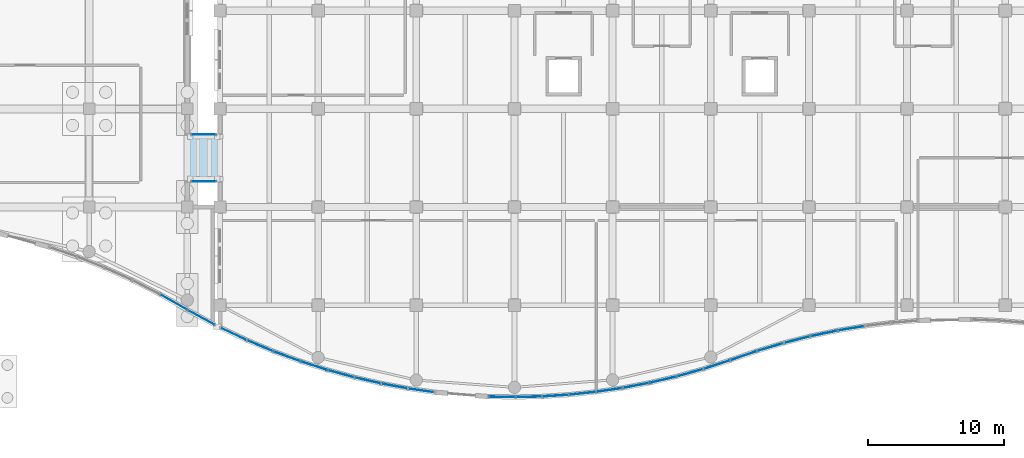
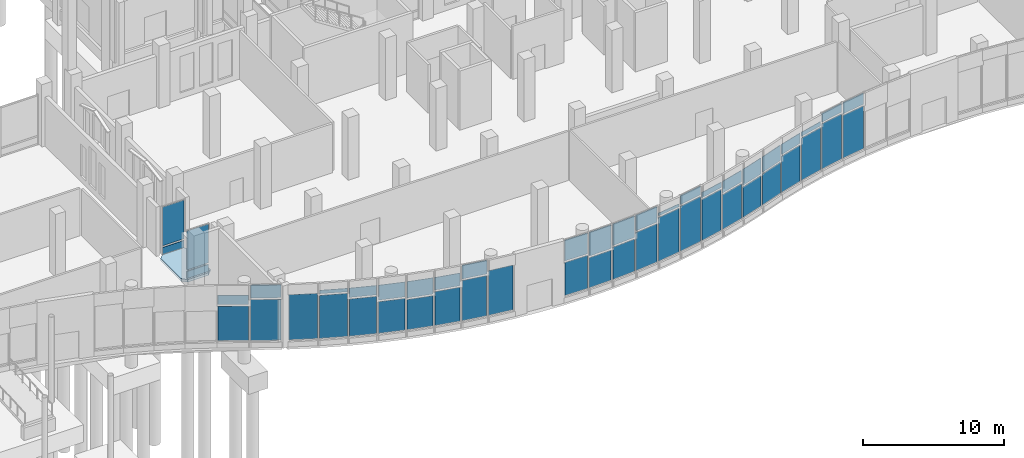
# One storey, part 126 of 192: 50 plates, 1 slab, 26 elements without a shape of their own.
"""IFC4 building model written with IfcOpenShell, lengths in metres."""

from ifc_helpers import new_model, si_unit, direction, frame, origin, origin_2d, place, context, subcontext, project, spatial, polyline, rectangle, outline, extrude, material, layer, layer_set, type_object, element, aggregate, save


model = new_model("IFC4")

# Units and contexts
model_context = context("Model", 3, precision=1e-05, world=origin(), true_north=direction((0.0, 1.0)))
body_context = subcontext(model_context, "Body", "Model", "MODEL_VIEW")
ifc_project = project(units=[si_unit("LENGTHUNIT", "METRE"), si_unit("AREAUNIT", "SQUARE_METRE"), si_unit("VOLUMEUNIT", "CUBIC_METRE"), si_unit("PLANEANGLEUNIT", "RADIAN"), si_unit("MASSUNIT", "GRAM", prefix="KILO")], contexts=[model_context])

# Site, building, storey
site_placement = place(None, origin())
site = spatial("IfcSite", under=ifc_project, at=site_placement, CompositionType="ELEMENT")
building_placement = place(site_placement, origin())
building = spatial("IfcBuilding", under=site, at=building_placement, Name="Cendralis Lancet Convention Centre", CompositionType="ELEMENT")
storey_placement = place(building_placement, origin())
storey = spatial("IfcBuildingStorey", under=building, at=storey_placement, Name="L00", CompositionType="ELEMENT", Elevation=0.0)

# Curtain wall, plate
ifc_material_1 = material(Name="Anodised bronze architectural aluminium", Category="aluminium")
curtain_wall_type_1 = type_object("IfcCurtainWallType", Name="ARC-CW-WF01", PredefinedType="USERDEFINED", material=ifc_material_1)
curtain_wall_1_placement = place(storey_placement, origin())
curtain_wall_1 = element("IfcCurtainWall", 1, at=curtain_wall_1_placement, inside=storey, type_object=curtain_wall_type_1, Name="L00 Curtain Wall CW-WF1 #054", ObjectType="CURTAIN WALL", PredefinedType="USERDEFINED")
ifc_material_2 = material(Name="Double-glazed low-E solar-control glass", Category="glass")
ifc_layer_1 = layer(ifc_material_2, 0.035888671875, Name="Double-glazed low-E solar-control glass")
ifc_layer_set_1 = layer_set([ifc_layer_1], Name="Double-glazed low-E solar-control glass")
plate_type_1 = type_object("IfcPlateType", Name="ARC-PL-GL01", PredefinedType="CURTAIN_PANEL", material=ifc_layer_set_1)
plate_1_placement = place(storey_placement, frame((128.6025390625, 7.41943359375, 0.52001953125), z_axis=(0.0, 0.0, 1.0), x_axis=(0.869376917857, -0.494149546895, 0.0)))
plate_1 = element("IfcPlate", 2, at=plate_1_placement, type_object=plate_type_1, Name="Vision Glass Panel CW2-CW-WF1-L00-054-PG0", PredefinedType="CURTAIN_PANEL", context=body_context, shape_type="SweptSolid", body=[
    extrude(rectangle(XDim=2.189208984375, YDim=0.035888671875, at=origin_2d()), origin(), (0.0, 0.0, 1.0), 2.985107421875),
])

curtain_wall_2_placement = place(storey_placement, origin())
curtain_wall_2 = element("IfcCurtainWall", 3, at=curtain_wall_2_placement, inside=storey, type_object=curtain_wall_type_1, Name="L00 Curtain Wall CW-WF1 #055", ObjectType="CURTAIN WALL", PredefinedType="USERDEFINED")
plate_2_placement = place(storey_placement, frame((130.62744140625, 6.29345703125, 0.52001953125), z_axis=(0.0, 0.0, 1.0), x_axis=(0.878541398858, -0.477666212425, 0.0)))
plate_2 = element("IfcPlate", 4, at=plate_2_placement, type_object=plate_type_1, Name="Vision Glass Panel CW2-CW-WF1-L00-055-PG0", PredefinedType="CURTAIN_PANEL", context=body_context, shape_type="SweptSolid", body=[
    extrude(rectangle(XDim=2.1650390625, YDim=0.035888671875, at=origin_2d()), origin(), (0.0, 0.0, 1.0), 3.54296875),
])

curtain_wall_type_2 = type_object("IfcCurtainWallType", Name="ARC-CW-WF02", PredefinedType="USERDEFINED", material=ifc_material_1)
curtain_wall_3_placement = place(storey_placement, origin())
curtain_wall_3 = element("IfcCurtainWall", 5, at=curtain_wall_3_placement, inside=storey, type_object=curtain_wall_type_2, Name="L00 Curtain Wall CW-WF2 #056", ObjectType="CURTAIN WALL", PredefinedType="USERDEFINED")
plate_3_placement = place(storey_placement, frame((132.984619140625, 5.093017578125, 0.52001953125), z_axis=(0.0, 0.0, 1.0), x_axis=(0.903504119511, -0.428579404576, 0.0)))
plate_3 = element("IfcPlate", 6, at=plate_3_placement, type_object=plate_type_1, Name="Vision Glass Panel CW2-CW-WF2-L00-056-PG0", PredefinedType="CURTAIN_PANEL", context=body_context, shape_type="SweptSolid", body=[
    extrude(rectangle(XDim=2.039306640625, YDim=0.035888671875, at=origin_2d()), origin(), (0.0, 0.0, 1.0), 3.912109375),
])
aggregate(curtain_wall_3, [plate_3])

curtain_wall_4_placement = place(storey_placement, origin())
curtain_wall_4 = element("IfcCurtainWall", 7, at=curtain_wall_4_placement, inside=storey, type_object=curtain_wall_type_2, Name="L00 Curtain Wall CW-WF2 #057", ObjectType="CURTAIN WALL", PredefinedType="USERDEFINED")
plate_4_placement = place(storey_placement, frame((134.95361328125, 4.2119140625, 0.52001953125), z_axis=(0.0, 0.0, 1.0), x_axis=(0.921811529405, -0.387638367884, 0.0)))
plate_4 = element("IfcPlate", 8, at=plate_4_placement, type_object=plate_type_1, Name="Vision Glass Panel CW2-CW-WF2-L00-057-PG0", PredefinedType="CURTAIN_PANEL", context=body_context, shape_type="SweptSolid", body=[
    extrude(rectangle(XDim=1.99609375, YDim=0.035888671875, at=origin_2d()), origin(), (0.0, 0.0, 1.0), 3.73193359375),
])

curtain_wall_5_placement = place(storey_placement, origin())
curtain_wall_5 = element("IfcCurtainWall", 9, at=curtain_wall_5_placement, inside=storey, type_object=curtain_wall_type_2, Name="L00 Curtain Wall CW-WF2 #058", ObjectType="CURTAIN WALL", PredefinedType="USERDEFINED")
plate_5_placement = place(storey_placement, frame((136.923095703125, 3.4345703125, 0.52001953125), z_axis=(0.0, 0.0, 1.0), x_axis=(0.938155975556, -0.346212890471, 0.0)))
plate_5 = element("IfcPlate", 10, at=plate_5_placement, type_object=plate_type_1, Name="Vision Glass Panel CW2-CW-WF2-L00-058-PG0", PredefinedType="CURTAIN_PANEL", context=body_context, shape_type="SweptSolid", body=[
    extrude(rectangle(XDim=1.9599609375, YDim=0.035888671875, at=origin_2d()), origin(), (0.0, 0.0, 1.0), 3.22412109375),
])

curtain_wall_6_placement = place(storey_placement, origin())
curtain_wall_6 = element("IfcCurtainWall", 11, at=curtain_wall_6_placement, inside=storey, type_object=curtain_wall_type_2, Name="L00 Curtain Wall CW-WF2 #059", ObjectType="CURTAIN WALL", PredefinedType="USERDEFINED")
plate_6_placement = place(storey_placement, frame((138.892578125, 2.7548828125, 0.52001953125), z_axis=(0.0, 0.0, 1.0), x_axis=(0.952154265614, -0.305617824207, 0.0)))
plate_6 = element("IfcPlate", 12, at=plate_6_placement, type_object=plate_type_1, Name="Vision Glass Panel CW2-CW-WF2-L00-059-PG0", PredefinedType="CURTAIN_PANEL", context=body_context, shape_type="SweptSolid", body=[
    extrude(rectangle(XDim=1.927978515625, YDim=0.035888671875, at=origin_2d()), origin(), (0.0, 0.0, 1.0), 2.741943359375),
])

curtain_wall_7_placement = place(storey_placement, origin())
curtain_wall_7 = element("IfcCurtainWall", 13, at=curtain_wall_7_placement, inside=storey, type_object=curtain_wall_type_2, Name="L00 Curtain Wall CW-WF2 #060", ObjectType="CURTAIN WALL", PredefinedType="USERDEFINED")
plate_7_placement = place(storey_placement, frame((140.861572265625, 2.1689453125, 0.52001953125), z_axis=(0.0, 0.0, 1.0), x_axis=(0.964389860515, -0.264484776378, 0.0)))
plate_7 = element("IfcPlate", 14, at=plate_7_placement, type_object=plate_type_1, Name="Vision Glass Panel CW2-CW-WF2-L00-060-PG0", PredefinedType="CURTAIN_PANEL", context=body_context, shape_type="SweptSolid", body=[
    extrude(rectangle(XDim=1.901611328125, YDim=0.035888671875, at=origin_2d()), origin(), (0.0, 0.0, 1.0), 2.618896484375),
])

curtain_wall_8_placement = place(storey_placement, origin())
curtain_wall_8 = element("IfcCurtainWall", 15, at=curtain_wall_8_placement, inside=storey, type_object=curtain_wall_type_2, Name="L00 Curtain Wall CW-WF2 #061", ObjectType="CURTAIN WALL", PredefinedType="USERDEFINED")
plate_8_placement = place(storey_placement, frame((142.83056640625, 1.673583984375, 0.52001953125), z_axis=(0.0, 0.0, 1.0), x_axis=(0.974757014124, -0.22326836636, 0.0)))
plate_8 = element("IfcPlate", 16, at=plate_8_placement, type_object=plate_type_1, Name="Vision Glass Panel CW2-CW-WF2-L00-061-PG0", PredefinedType="CURTAIN_PANEL", context=body_context, shape_type="SweptSolid", body=[
    extrude(rectangle(XDim=1.8798828125, YDim=0.035888671875, at=origin_2d()), origin(), (0.0, 0.0, 1.0), 2.93994140625),
])

curtain_wall_9_placement = place(storey_placement, origin())
curtain_wall_9 = element("IfcCurtainWall", 17, at=curtain_wall_9_placement, inside=storey, type_object=curtain_wall_type_2, Name="L00 Curtain Wall CW-WF2 #062", ObjectType="CURTAIN WALL", PredefinedType="USERDEFINED")
plate_9_placement = place(storey_placement, frame((144.800048828125, 1.264892578125, 0.52001953125), z_axis=(0.0, 0.0, 1.0), x_axis=(0.983175934366, -0.182661112676, 0.0)))
plate_9 = element("IfcPlate", 18, at=plate_9_placement, type_object=plate_type_1, Name="Vision Glass Panel CW2-CW-WF2-L00-062-PG0", PredefinedType="CURTAIN_PANEL", context=body_context, shape_type="SweptSolid", body=[
    extrude(rectangle(XDim=1.86376953125, YDim=0.035888671875, at=origin_2d()), origin(), (0.0, 0.0, 1.0), 3.48388671875),
])

curtain_wall_10_placement = place(storey_placement, origin())
curtain_wall_10 = element("IfcCurtainWall", 19, at=curtain_wall_10_placement, inside=storey, type_object=curtain_wall_type_2, Name="L00 Curtain Wall CW-WF2 #063", ObjectType="CURTAIN WALL", PredefinedType="USERDEFINED")
plate_10_placement = place(storey_placement, frame((146.76953125, 0.94140625, 0.52001953125), z_axis=(0.0, 0.0, 1.0), x_axis=(0.989969594766, -0.141280577004, 0.0)))
plate_10 = element("IfcPlate", 20, at=plate_10_placement, type_object=plate_type_1, Name="Vision Glass Panel CW2-CW-WF2-L00-063-PG0", PredefinedType="CURTAIN_PANEL", context=body_context, shape_type="SweptSolid", body=[
    extrude(rectangle(XDim=1.848876953125, YDim=0.035888671875, at=origin_2d()), origin(), (0.0, 0.0, 1.0), 3.8720703125),
])
aggregate(curtain_wall_10, [plate_10])

curtain_wall_11_placement = place(storey_placement, origin())
curtain_wall_11 = element("IfcCurtainWall", 21, at=curtain_wall_11_placement, inside=storey, type_object=curtain_wall_type_2, Name="L00 Curtain Wall CW-WF2 #064", ObjectType="CURTAIN WALL", PredefinedType="USERDEFINED")
plate_11_placement = place(storey_placement, frame((152.677001953125, 0.468017578125, 0.52001953125), z_axis=(0.0, 0.0, 1.0), x_axis=(0.999833070229, -0.018271061178, 0.0)))
plate_11 = element("IfcPlate", 22, at=plate_11_placement, type_object=plate_type_1, Name="Vision Glass Panel CW2-CW-WF2-L00-064-PG0", PredefinedType="CURTAIN_PANEL", context=body_context, shape_type="SweptSolid", body=[
    extrude(rectangle(XDim=1.830322265625, YDim=0.035888671875, at=origin_2d()), origin(), (0.0, 0.0, 1.0), 2.866943359375),
])

curtain_wall_12_placement = place(storey_placement, origin())
curtain_wall_12 = element("IfcCurtainWall", 23, at=curtain_wall_12_placement, inside=storey, type_object=curtain_wall_type_2, Name="L00 Curtain Wall CW-WF2 #065", ObjectType="CURTAIN WALL", PredefinedType="USERDEFINED")
plate_12_placement = place(storey_placement, frame((154.646484375, 0.472412109375, 0.52001953125), z_axis=(0.0, 0.0, 1.0), x_axis=(0.999738944101, 0.022848274503, 0.0)))
plate_12 = element("IfcPlate", 24, at=plate_12_placement, type_object=plate_type_1, Name="Vision Glass Panel CW2-CW-WF2-L00-065-PG0", PredefinedType="CURTAIN_PANEL", context=body_context, shape_type="SweptSolid", body=[
    extrude(rectangle(XDim=1.82958984375, YDim=0.035888671875, at=origin_2d()), origin(), (0.0, 0.0, 1.0), 2.60693359375),
])

curtain_wall_13_placement = place(storey_placement, origin())
curtain_wall_13 = element("IfcCurtainWall", 25, at=curtain_wall_13_placement, inside=storey, type_object=curtain_wall_type_2, Name="L00 Curtain Wall CW-WF2 #066", ObjectType="CURTAIN WALL", PredefinedType="USERDEFINED")
plate_13_placement = place(storey_placement, frame((156.615478515625, 0.55810546875, 0.52001953125), z_axis=(0.0, 0.0, 1.0), x_axis=(0.997958786907, 0.063861253001, 0.0)))
plate_13 = element("IfcPlate", 26, at=plate_13_placement, type_object=plate_type_1, Name="Vision Glass Panel CW2-CW-WF2-L00-066-PG0", PredefinedType="CURTAIN_PANEL", context=body_context, shape_type="SweptSolid", body=[
    extrude(rectangle(XDim=1.8330078125, YDim=0.035888671875, at=origin_2d()), origin(), (0.0, 0.0, 1.0), 2.801025390625),
])

curtain_wall_14_placement = place(storey_placement, origin())
curtain_wall_14 = element("IfcCurtainWall", 27, at=curtain_wall_14_placement, inside=storey, type_object=curtain_wall_type_2, Name="L00 Curtain Wall CW-WF2 #067", ObjectType="CURTAIN WALL", PredefinedType="USERDEFINED")
plate_14_placement = place(storey_placement, frame((158.58447265625, 0.72509765625, 0.52001953125), z_axis=(0.0, 0.0, 1.0), x_axis=(0.994466640343, 0.10505284977, 0.0)))
plate_14 = element("IfcPlate", 28, at=plate_14_placement, type_object=plate_type_1, Name="Vision Glass Panel CW2-CW-WF2-L00-067-PG0", PredefinedType="CURTAIN_PANEL", context=body_context, shape_type="SweptSolid", body=[
    extrude(rectangle(XDim=1.840087890625, YDim=0.035888671875, at=origin_2d()), origin(), (0.0, 0.0, 1.0), 3.31298828125),
])

curtain_wall_15_placement = place(storey_placement, origin())
curtain_wall_15 = element("IfcCurtainWall", 29, at=curtain_wall_15_placement, inside=storey, type_object=curtain_wall_type_2, Name="L00 Curtain Wall CW-WF2 #068", ObjectType="CURTAIN WALL", PredefinedType="USERDEFINED")
plate_15_placement = place(storey_placement, frame((160.553466796875, 0.97412109375, 0.52001953125), z_axis=(0.0, 0.0, 1.0), x_axis=(0.989327203129, 0.145710964409, 0.0)))
plate_15 = element("IfcPlate", 30, at=plate_15_placement, type_object=plate_type_1, Name="Vision Glass Panel CW2-CW-WF2-L00-068-PG0", PredefinedType="CURTAIN_PANEL", context=body_context, shape_type="SweptSolid", body=[
    extrude(rectangle(XDim=1.85009765625, YDim=0.035888671875, at=origin_2d()), origin(), (0.0, 0.0, 1.0), 3.7880859375),
])

curtain_wall_16_placement = place(storey_placement, origin())
curtain_wall_16 = element("IfcCurtainWall", 31, at=curtain_wall_16_placement, inside=storey, type_object=curtain_wall_type_2, Name="L00 Curtain Wall CW-WF2 #069", ObjectType="CURTAIN WALL", PredefinedType="USERDEFINED")
plate_16_placement = place(storey_placement, frame((162.52294921875, 1.306396484375, 0.52001953125), z_axis=(0.0, 0.0, 1.0), x_axis=(0.982360382939, 0.186997534828, 0.0)))
plate_16 = element("IfcPlate", 32, at=plate_16_placement, type_object=plate_type_1, Name="Vision Glass Panel CW2-CW-WF2-L00-069-PG0", PredefinedType="CURTAIN_PANEL", context=body_context, shape_type="SweptSolid", body=[
    extrude(rectangle(XDim=1.865478515625, YDim=0.035888671875, at=origin_2d()), origin(), (0.0, 0.0, 1.0), 3.89697265625),
])

curtain_wall_17_placement = place(storey_placement, origin())
curtain_wall_17 = element("IfcCurtainWall", 33, at=curtain_wall_17_placement, inside=storey, type_object=curtain_wall_type_2, Name="L00 Curtain Wall CW-WF2 #070", ObjectType="CURTAIN WALL", PredefinedType="USERDEFINED")
plate_17_placement = place(storey_placement, frame((164.492431640625, 1.724609375, 0.52001953125), z_axis=(0.0, 0.0, 1.0), x_axis=(0.973669499151, 0.22796426567, 0.0)))
plate_17 = element("IfcPlate", 34, at=plate_17_placement, type_object=plate_type_1, Name="Vision Glass Panel CW2-CW-WF2-L00-070-PG0", PredefinedType="CURTAIN_PANEL", context=body_context, shape_type="SweptSolid", body=[
    extrude(rectangle(XDim=1.882080078125, YDim=0.035888671875, at=origin_2d()), origin(), (0.0, 0.0, 1.0), 3.56396484375),
])

curtain_wall_18_placement = place(storey_placement, origin())
curtain_wall_18 = element("IfcCurtainWall", 35, at=curtain_wall_18_placement, inside=storey, type_object=curtain_wall_type_2, Name="L00 Curtain Wall CW-WF2 #071", ObjectType="CURTAIN WALL", PredefinedType="USERDEFINED")
plate_18_placement = place(storey_placement, frame((166.46142578125, 2.22998046875, 0.52001953125), z_axis=(0.0, 0.0, 1.0), x_axis=(0.963131479096, 0.269031139414, 0.0)))
plate_18 = element("IfcPlate", 36, at=plate_18_placement, type_object=plate_type_1, Name="Vision Glass Panel CW2-CW-WF2-L00-071-PG0", PredefinedType="CURTAIN_PANEL", context=body_context, shape_type="SweptSolid", body=[
    extrude(rectangle(XDim=1.904296875, YDim=0.035888671875, at=origin_2d()), origin(), (0.0, 0.0, 1.0), 3.02001953125),
])

curtain_wall_19_placement = place(storey_placement, origin())
curtain_wall_19 = element("IfcCurtainWall", 37, at=curtain_wall_19_placement, inside=storey, type_object=curtain_wall_type_2, Name="L00 Curtain Wall CW-WF2 #072", ObjectType="CURTAIN WALL", PredefinedType="USERDEFINED")
plate_19_placement = place(storey_placement, frame((168.430419921875, 2.825927734375, 0.52001953125), z_axis=(0.0, 0.0, 1.0), x_axis=(0.95073912074, 0.30999213586, 0.0)))
plate_19 = element("IfcPlate", 38, at=plate_19_placement, type_object=plate_type_1, Name="Vision Glass Panel CW2-CW-WF2-L00-072-PG0", PredefinedType="CURTAIN_PANEL", context=body_context, shape_type="SweptSolid", body=[
    extrude(rectangle(XDim=1.930908203125, YDim=0.035888671875, at=origin_2d()), origin(), (0.0, 0.0, 1.0), 2.64208984375),
])

curtain_wall_20_placement = place(storey_placement, origin())
curtain_wall_20 = element("IfcCurtainWall", 39, at=curtain_wall_20_placement, inside=storey, type_object=curtain_wall_type_2, Name="L00 Curtain Wall CW-WF2 #073", ObjectType="CURTAIN WALL", PredefinedType="USERDEFINED")
plate_20_placement = place(storey_placement, frame((170.39990234375, 3.486572265625, 0.52001953125), z_axis=(0.0, 0.0, 1.0), x_axis=(0.945418872072, 0.325857570619, 0.0)))
plate_20 = element("IfcPlate", 40, at=plate_20_placement, type_object=plate_type_1, Name="Vision Glass Panel CW2-CW-WF2-L00-073-PG0", PredefinedType="CURTAIN_PANEL", context=body_context, shape_type="SweptSolid", body=[
    extrude(rectangle(XDim=1.943603515625, YDim=0.035888671875, at=origin_2d()), origin(), (0.0, 0.0, 1.0), 2.693115234375),
])

curtain_wall_21_placement = place(storey_placement, origin())
curtain_wall_21 = element("IfcCurtainWall", 41, at=curtain_wall_21_placement, inside=storey, type_object=curtain_wall_type_2, Name="L00 Curtain Wall CW-WF2 #074", ObjectType="CURTAIN WALL", PredefinedType="USERDEFINED")
plate_21_placement = place(storey_placement, frame((172.369384765625, 4.12109375, 0.52001953125), z_axis=(0.0, 0.0, 1.0), x_axis=(0.957919963767, 0.287035438606, 0.0)))
plate_21 = element("IfcPlate", 42, at=plate_21_placement, type_object=plate_type_1, Name="Vision Glass Panel CW2-CW-WF2-L00-074-PG0", PredefinedType="CURTAIN_PANEL", context=body_context, shape_type="SweptSolid", body=[
    extrude(rectangle(XDim=1.91552734375, YDim=0.035888671875, at=origin_2d()), origin(), (0.0, 0.0, 1.0), 3.137939453125),
])

curtain_wall_22_placement = place(storey_placement, origin())
curtain_wall_22 = element("IfcCurtainWall", 43, at=curtain_wall_22_placement, inside=storey, type_object=curtain_wall_type_2, Name="L00 Curtain Wall CW-WF2 #075", ObjectType="CURTAIN WALL", PredefinedType="USERDEFINED")
plate_22_placement = place(storey_placement, frame((174.33837890625, 4.666015625, 0.52001953125), z_axis=(0.0, 0.0, 1.0), x_axis=(0.969238225339, 0.246124485865, 0.0)))
plate_22 = element("IfcPlate", 44, at=plate_22_placement, type_object=plate_type_1, Name="Vision Glass Panel CW2-CW-WF2-L00-075-PG0", PredefinedType="CURTAIN_PANEL", context=body_context, shape_type="SweptSolid", body=[
    extrude(rectangle(XDim=1.8916015625, YDim=0.035888671875, at=origin_2d()), origin(), (0.0, 0.0, 1.0), 3.6669921875),
])

curtain_wall_23_placement = place(storey_placement, origin())
curtain_wall_23 = element("IfcCurtainWall", 45, at=curtain_wall_23_placement, inside=storey, type_object=curtain_wall_type_2, Name="L00 Curtain Wall CW-WF2 #076", ObjectType="CURTAIN WALL", PredefinedType="USERDEFINED")
plate_23_placement = place(storey_placement, frame((176.3076171875, 5.1220703125, 0.52001953125), z_axis=(0.0, 0.0, 1.0), x_axis=(0.978802214248, 0.204807776667, 0.0)))
plate_23 = element("IfcPlate", 46, at=plate_23_placement, type_object=plate_type_1, Name="Vision Glass Panel CW2-CW-WF2-L00-076-PG0", PredefinedType="CURTAIN_PANEL", context=body_context, shape_type="SweptSolid", body=[
    extrude(rectangle(XDim=1.87158203125, YDim=0.035888671875, at=origin_2d()), origin(), (0.0, 0.0, 1.0), 3.9140625),
])

curtain_wall_24_placement = place(storey_placement, origin())
curtain_wall_24 = element("IfcCurtainWall", 47, at=curtain_wall_24_placement, inside=storey, type_object=curtain_wall_type_2, Name="L00 Curtain Wall CW-WF2 #077", ObjectType="CURTAIN WALL", PredefinedType="USERDEFINED")
plate_24_placement = place(storey_placement, frame((178.277099609375, 5.491455078125, 0.52001953125), z_axis=(0.0, 0.0, 1.0), x_axis=(0.986501982864, 0.163749313906, 0.0)))
plate_24 = element("IfcPlate", 48, at=plate_24_placement, type_object=plate_type_1, Name="Vision Glass Panel CW2-CW-WF2-L00-077-PG0", PredefinedType="CURTAIN_PANEL", context=body_context, shape_type="SweptSolid", body=[
    extrude(rectangle(XDim=1.85693359375, YDim=0.035888671875, at=origin_2d()), origin(), (0.0, 0.0, 1.0), 3.70703125),
])

curtain_wall_type_3 = type_object("IfcCurtainWallType", Name="ARC-CW-BR01", PredefinedType="USERDEFINED", material=ifc_material_1)
curtain_wall_25_placement = place(storey_placement, origin())
curtain_wall_25 = element("IfcCurtainWall", 49, at=curtain_wall_25_placement, inside=storey, type_object=curtain_wall_type_3, Name="L00 Curtain Wall CW-BR1 #201", ObjectType="CURTAIN WALL", PredefinedType="USERDEFINED")
plate_25_placement = place(storey_placement, frame((130.800048828125, 16.280029296875, 0.81982421875), z_axis=(0.0, 0.0, 1.0), x_axis=(1.0, 0.0, 0.0)))
plate_25 = element("IfcPlate", 50, at=plate_25_placement, type_object=plate_type_1, Name="Vision Glass Panel CW2-CW-BR1-L00-201-PG0", PredefinedType="CURTAIN_PANEL", context=body_context, shape_type="SweptSolid", body=[
    extrude(rectangle(XDim=1.760009765625, YDim=0.035888671875, at=origin_2d()), origin(), (0.0, 0.0, 1.0), 3.360107421875),
])

curtain_wall_26_placement = place(storey_placement, origin())
curtain_wall_26 = element("IfcCurtainWall", 51, at=curtain_wall_26_placement, inside=storey, type_object=curtain_wall_type_3, Name="L00 Curtain Wall CW-BR1 #202", ObjectType="CURTAIN WALL", PredefinedType="USERDEFINED")
plate_26_placement = place(storey_placement, frame((130.800048828125, 19.719970703125, 0.81982421875), z_axis=(0.0, 0.0, 1.0), x_axis=(1.0, 0.0, 0.0)))
plate_26 = element("IfcPlate", 52, at=plate_26_placement, type_object=plate_type_1, Name="Vision Glass Panel CW2-CW-BR1-L00-202-PG0", PredefinedType="CURTAIN_PANEL", context=body_context, shape_type="SweptSolid", body=[
    extrude(rectangle(XDim=1.760009765625, YDim=0.035888671875, at=origin_2d()), origin(), (0.0, 0.0, 1.0), 3.360107421875),
])

# Plate
ifc_material_3 = material(Name="Insulated ceramic-fritted spandrel glass", Category="glass")
ifc_layer_2 = layer(ifc_material_3, 0.044921875, Name="Insulated ceramic-fritted spandrel glass")
ifc_layer_set_2 = layer_set([ifc_layer_2], Name="Insulated ceramic-fritted spandrel glass")
plate_type_2 = type_object("IfcPlateType", Name="ARC-PL-SP01", PredefinedType="CURTAIN_PANEL", material=ifc_layer_set_2)
plate_27_placement = place(storey_placement, frame((128.6025390625, 7.41943359375, 3.64501953125), z_axis=(0.0, 0.0, 1.0), x_axis=(0.869376917857, -0.494149546895, 0.0)))
plate_27 = element("IfcPlate", 53, at=plate_27_placement, type_object=plate_type_2, Name="Spandrel Panel CW2-CW-WF1-L00-054-PS0", PredefinedType="CURTAIN_PANEL", context=body_context, shape_type="SweptSolid", body=[
    extrude(rectangle(XDim=2.189208984375, YDim=0.044921875, at=origin_2d()), origin(), (0.0, 0.0, 1.0), 0.7900390625),
])

aggregate(curtain_wall_1, [plate_1, plate_27])

plate_28_placement = place(storey_placement, frame((130.62744140625, 6.29345703125, 4.203125), z_axis=(0.0, 0.0, 1.0), x_axis=(0.878541398858, -0.477666212425, 0.0)))
plate_28 = element("IfcPlate", 54, at=plate_28_placement, type_object=plate_type_2, Name="Spandrel Panel CW2-CW-WF1-L00-055-PS0", PredefinedType="CURTAIN_PANEL", context=body_context, shape_type="SweptSolid", body=[
    extrude(rectangle(XDim=2.1650390625, YDim=0.044921875, at=origin_2d()), origin(), (0.0, 0.0, 1.0), 1.126953125),
])

aggregate(curtain_wall_2, [plate_2, plate_28])

plate_29_placement = place(storey_placement, frame((134.95361328125, 4.2119140625, 4.39208984375), z_axis=(0.0, 0.0, 1.0), x_axis=(0.921811529405, -0.387638367884, 0.0)))
plate_29 = element("IfcPlate", 55, at=plate_29_placement, type_object=plate_type_2, Name="Spandrel Panel CW2-CW-WF2-L00-057-PS0", PredefinedType="CURTAIN_PANEL", context=body_context, shape_type="SweptSolid", body=[
    extrude(rectangle(XDim=1.99609375, YDim=0.044921875, at=origin_2d()), origin(), (0.0, 0.0, 1.0), 0.29296875),
])

aggregate(curtain_wall_4, [plate_4, plate_29])

plate_30_placement = place(storey_placement, frame((136.923095703125, 3.4345703125, 3.8837890625), z_axis=(0.0, 0.0, 1.0), x_axis=(0.938155975556, -0.346212890471, 0.0)))
plate_30 = element("IfcPlate", 56, at=plate_30_placement, type_object=plate_type_2, Name="Spandrel Panel CW2-CW-WF2-L00-058-PS0", PredefinedType="CURTAIN_PANEL", context=body_context, shape_type="SweptSolid", body=[
    extrude(rectangle(XDim=1.9599609375, YDim=0.044921875, at=origin_2d()), origin(), (0.0, 0.0, 1.0), 0.801025390625),
])

aggregate(curtain_wall_5, [plate_5, plate_30])

plate_31_placement = place(storey_placement, frame((138.892578125, 2.7548828125, 3.40185546875), z_axis=(0.0, 0.0, 1.0), x_axis=(0.952154265614, -0.305617824207, 0.0)))
plate_31 = element("IfcPlate", 57, at=plate_31_placement, type_object=plate_type_2, Name="Spandrel Panel CW2-CW-WF2-L00-059-PS0", PredefinedType="CURTAIN_PANEL", context=body_context, shape_type="SweptSolid", body=[
    extrude(rectangle(XDim=1.927978515625, YDim=0.044921875, at=origin_2d()), origin(), (0.0, 0.0, 1.0), 1.282958984375),
])

aggregate(curtain_wall_6, [plate_6, plate_31])

plate_32_placement = place(storey_placement, frame((140.861572265625, 2.1689453125, 3.27880859375), z_axis=(0.0, 0.0, 1.0), x_axis=(0.964389860515, -0.264484776378, 0.0)))
plate_32 = element("IfcPlate", 58, at=plate_32_placement, type_object=plate_type_2, Name="Spandrel Panel CW2-CW-WF2-L00-060-PS0", PredefinedType="CURTAIN_PANEL", context=body_context, shape_type="SweptSolid", body=[
    extrude(rectangle(XDim=1.901611328125, YDim=0.044921875, at=origin_2d()), origin(), (0.0, 0.0, 1.0), 1.406005859375),
])

aggregate(curtain_wall_7, [plate_7, plate_32])

plate_33_placement = place(storey_placement, frame((142.83056640625, 1.673583984375, 3.60009765625), z_axis=(0.0, 0.0, 1.0), x_axis=(0.974757014124, -0.22326836636, 0.0)))
plate_33 = element("IfcPlate", 59, at=plate_33_placement, type_object=plate_type_2, Name="Spandrel Panel CW2-CW-WF2-L00-061-PS0", PredefinedType="CURTAIN_PANEL", context=body_context, shape_type="SweptSolid", body=[
    extrude(rectangle(XDim=1.8798828125, YDim=0.044921875, at=origin_2d()), origin(), (0.0, 0.0, 1.0), 1.0849609375),
])

aggregate(curtain_wall_8, [plate_8, plate_33])

plate_34_placement = place(storey_placement, frame((144.800048828125, 1.264892578125, 4.14404296875), z_axis=(0.0, 0.0, 1.0), x_axis=(0.983175934366, -0.182661112676, 0.0)))
plate_34 = element("IfcPlate", 60, at=plate_34_placement, type_object=plate_type_2, Name="Spandrel Panel CW2-CW-WF2-L00-062-PS0", PredefinedType="CURTAIN_PANEL", context=body_context, shape_type="SweptSolid", body=[
    extrude(rectangle(XDim=1.86376953125, YDim=0.044921875, at=origin_2d()), origin(), (0.0, 0.0, 1.0), 1.18603515625),
])

aggregate(curtain_wall_9, [plate_9, plate_34])

plate_35_placement = place(storey_placement, frame((152.677001953125, 0.468017578125, 3.52685546875), z_axis=(0.0, 0.0, 1.0), x_axis=(0.999833070229, -0.018271061178, 0.0)))
plate_35 = element("IfcPlate", 61, at=plate_35_placement, type_object=plate_type_2, Name="Spandrel Panel CW2-CW-WF2-L00-064-PS0", PredefinedType="CURTAIN_PANEL", context=body_context, shape_type="SweptSolid", body=[
    extrude(rectangle(XDim=1.830322265625, YDim=0.044921875, at=origin_2d()), origin(), (0.0, 0.0, 1.0), 1.802978515625),
])

aggregate(curtain_wall_11, [plate_11, plate_35])

plate_36_placement = place(storey_placement, frame((154.646484375, 0.472412109375, 3.26708984375), z_axis=(0.0, 0.0, 1.0), x_axis=(0.999738944101, 0.022848274503, 0.0)))
plate_36 = element("IfcPlate", 62, at=plate_36_placement, type_object=plate_type_2, Name="Spandrel Panel CW2-CW-WF2-L00-065-PS0", PredefinedType="CURTAIN_PANEL", context=body_context, shape_type="SweptSolid", body=[
    extrude(rectangle(XDim=1.82958984375, YDim=0.044921875, at=origin_2d()), origin(), (0.0, 0.0, 1.0), 2.06298828125),
])

aggregate(curtain_wall_12, [plate_12, plate_36])

plate_37_placement = place(storey_placement, frame((156.615478515625, 0.55810546875, 3.4609375), z_axis=(0.0, 0.0, 1.0), x_axis=(0.997958786907, 0.063861253001, 0.0)))
plate_37 = element("IfcPlate", 63, at=plate_37_placement, type_object=plate_type_2, Name="Spandrel Panel CW2-CW-WF2-L00-066-PS0", PredefinedType="CURTAIN_PANEL", context=body_context, shape_type="SweptSolid", body=[
    extrude(rectangle(XDim=1.8330078125, YDim=0.044921875, at=origin_2d()), origin(), (0.0, 0.0, 1.0), 1.868896484375),
])

aggregate(curtain_wall_13, [plate_13, plate_37])

plate_38_placement = place(storey_placement, frame((158.58447265625, 0.72509765625, 3.97314453125), z_axis=(0.0, 0.0, 1.0), x_axis=(0.994466640343, 0.10505284977, 0.0)))
plate_38 = element("IfcPlate", 64, at=plate_38_placement, type_object=plate_type_2, Name="Spandrel Panel CW2-CW-WF2-L00-067-PS0", PredefinedType="CURTAIN_PANEL", context=body_context, shape_type="SweptSolid", body=[
    extrude(rectangle(XDim=1.840087890625, YDim=0.044921875, at=origin_2d()), origin(), (0.0, 0.0, 1.0), 1.35693359375),
])

aggregate(curtain_wall_14, [plate_14, plate_38])

plate_39_placement = place(storey_placement, frame((160.553466796875, 0.97412109375, 4.44775390625), z_axis=(0.0, 0.0, 1.0), x_axis=(0.989327203129, 0.145710964409, 0.0)))
plate_39 = element("IfcPlate", 65, at=plate_39_placement, type_object=plate_type_2, Name="Spandrel Panel CW2-CW-WF2-L00-068-PS0", PredefinedType="CURTAIN_PANEL", context=body_context, shape_type="SweptSolid", body=[
    extrude(rectangle(XDim=1.85009765625, YDim=0.044921875, at=origin_2d()), origin(), (0.0, 0.0, 1.0), 0.237060546875),
])

aggregate(curtain_wall_15, [plate_15, plate_39])

plate_40_placement = place(storey_placement, frame((162.52294921875, 1.306396484375, 4.55712890625), z_axis=(0.0, 0.0, 1.0), x_axis=(0.982360382939, 0.186997534828, 0.0)))
plate_40 = element("IfcPlate", 66, at=plate_40_placement, type_object=plate_type_2, Name="Spandrel Panel CW2-CW-WF2-L00-069-PS0", PredefinedType="CURTAIN_PANEL", context=body_context, shape_type="SweptSolid", body=[
    extrude(rectangle(XDim=1.865478515625, YDim=0.044921875, at=origin_2d()), origin(), (0.0, 0.0, 1.0), 0.77294921875),
])

aggregate(curtain_wall_16, [plate_16, plate_40])

plate_41_placement = place(storey_placement, frame((164.492431640625, 1.724609375, 4.22412109375), z_axis=(0.0, 0.0, 1.0), x_axis=(0.973669499151, 0.22796426567, 0.0)))
plate_41 = element("IfcPlate", 67, at=plate_41_placement, type_object=plate_type_2, Name="Spandrel Panel CW2-CW-WF2-L00-070-PS0", PredefinedType="CURTAIN_PANEL", context=body_context, shape_type="SweptSolid", body=[
    extrude(rectangle(XDim=1.882080078125, YDim=0.044921875, at=origin_2d()), origin(), (0.0, 0.0, 1.0), 0.4609375),
])

aggregate(curtain_wall_17, [plate_17, plate_41])

plate_42_placement = place(storey_placement, frame((166.46142578125, 2.22998046875, 3.68017578125), z_axis=(0.0, 0.0, 1.0), x_axis=(0.963131479096, 0.269031139414, 0.0)))
plate_42 = element("IfcPlate", 68, at=plate_42_placement, type_object=plate_type_2, Name="Spandrel Panel CW2-CW-WF2-L00-071-PS0", PredefinedType="CURTAIN_PANEL", context=body_context, shape_type="SweptSolid", body=[
    extrude(rectangle(XDim=1.904296875, YDim=0.044921875, at=origin_2d()), origin(), (0.0, 0.0, 1.0), 1.0048828125),
])

aggregate(curtain_wall_18, [plate_18, plate_42])

plate_43_placement = place(storey_placement, frame((168.430419921875, 2.825927734375, 3.3017578125), z_axis=(0.0, 0.0, 1.0), x_axis=(0.95073912074, 0.30999213586, 0.0)))
plate_43 = element("IfcPlate", 69, at=plate_43_placement, type_object=plate_type_2, Name="Spandrel Panel CW2-CW-WF2-L00-072-PS0", PredefinedType="CURTAIN_PANEL", context=body_context, shape_type="SweptSolid", body=[
    extrude(rectangle(XDim=1.930908203125, YDim=0.044921875, at=origin_2d()), origin(), (0.0, 0.0, 1.0), 1.383056640625),
])

aggregate(curtain_wall_19, [plate_19, plate_43])

plate_44_placement = place(storey_placement, frame((170.39990234375, 3.486572265625, 3.35302734375), z_axis=(0.0, 0.0, 1.0), x_axis=(0.945418872072, 0.325857570619, 0.0)))
plate_44 = element("IfcPlate", 70, at=plate_44_placement, type_object=plate_type_2, Name="Spandrel Panel CW2-CW-WF2-L00-073-PS0", PredefinedType="CURTAIN_PANEL", context=body_context, shape_type="SweptSolid", body=[
    extrude(rectangle(XDim=1.943603515625, YDim=0.044921875, at=origin_2d()), origin(), (0.0, 0.0, 1.0), 1.33203125),
])

aggregate(curtain_wall_20, [plate_20, plate_44])

plate_45_placement = place(storey_placement, frame((172.369384765625, 4.12109375, 3.7978515625), z_axis=(0.0, 0.0, 1.0), x_axis=(0.957919963767, 0.287035438606, 0.0)))
plate_45 = element("IfcPlate", 71, at=plate_45_placement, type_object=plate_type_2, Name="Spandrel Panel CW2-CW-WF2-L00-074-PS0", PredefinedType="CURTAIN_PANEL", context=body_context, shape_type="SweptSolid", body=[
    extrude(rectangle(XDim=1.91552734375, YDim=0.044921875, at=origin_2d()), origin(), (0.0, 0.0, 1.0), 0.886962890625),
])

aggregate(curtain_wall_21, [plate_21, plate_45])

plate_46_placement = place(storey_placement, frame((174.33837890625, 4.666015625, 4.3271484375), z_axis=(0.0, 0.0, 1.0), x_axis=(0.969238225339, 0.246124485865, 0.0)))
plate_46 = element("IfcPlate", 72, at=plate_46_placement, type_object=plate_type_2, Name="Spandrel Panel CW2-CW-WF2-L00-075-PS0", PredefinedType="CURTAIN_PANEL", context=body_context, shape_type="SweptSolid", body=[
    extrude(rectangle(XDim=1.8916015625, YDim=0.044921875, at=origin_2d()), origin(), (0.0, 0.0, 1.0), 0.35791015625),
])

aggregate(curtain_wall_22, [plate_22, plate_46])

plate_47_placement = place(storey_placement, frame((176.3076171875, 5.1220703125, 4.57373046875), z_axis=(0.0, 0.0, 1.0), x_axis=(0.978802214248, 0.204807776667, 0.0)))
plate_47 = element("IfcPlate", 73, at=plate_47_placement, type_object=plate_type_2, Name="Spandrel Panel CW2-CW-WF2-L00-076-PS0", PredefinedType="CURTAIN_PANEL", context=body_context, shape_type="SweptSolid", body=[
    extrude(rectangle(XDim=1.87158203125, YDim=0.044921875, at=origin_2d()), origin(), (0.0, 0.0, 1.0), 0.756103515625),
])

aggregate(curtain_wall_23, [plate_23, plate_47])

plate_48_placement = place(storey_placement, frame((178.277099609375, 5.491455078125, 4.366943359375), z_axis=(0.0, 0.0, 1.0), x_axis=(0.986501982864, 0.163749313906, 0.0)))
plate_48 = element("IfcPlate", 74, at=plate_48_placement, type_object=plate_type_2, Name="Spandrel Panel CW2-CW-WF2-L00-077-PS0", PredefinedType="CURTAIN_PANEL", context=body_context, shape_type="SweptSolid", body=[
    extrude(rectangle(XDim=1.85693359375, YDim=0.044921875, at=origin_2d()), origin(), (0.0, 0.0, 1.0), 0.962890625),
])

aggregate(curtain_wall_24, [plate_24, plate_48])

plate_49_placement = place(storey_placement, frame((130.800048828125, 16.280029296875, 0.06982421875), z_axis=(0.0, 0.0, 1.0), x_axis=(1.0, 0.0, 0.0)))
plate_49 = element("IfcPlate", 75, at=plate_49_placement, type_object=plate_type_2, Name="Spandrel Panel CW2-CW-BR1-L00-201-PS0", PredefinedType="CURTAIN_PANEL", context=body_context, shape_type="SweptSolid", body=[
    extrude(rectangle(XDim=1.760009765625, YDim=0.044921875, at=origin_2d()), origin(), (0.0, 0.0, 1.0), 0.610107421875),
])

aggregate(curtain_wall_25, [plate_49, plate_25])

plate_50_placement = place(storey_placement, frame((130.800048828125, 19.719970703125, 0.06982421875), z_axis=(0.0, 0.0, 1.0), x_axis=(1.0, 0.0, 0.0)))
plate_50 = element("IfcPlate", 76, at=plate_50_placement, type_object=plate_type_2, Name="Spandrel Panel CW2-CW-BR1-L00-202-PS0", PredefinedType="CURTAIN_PANEL", context=body_context, shape_type="SweptSolid", body=[
    extrude(rectangle(XDim=1.760009765625, YDim=0.044921875, at=origin_2d()), origin(), (0.0, 0.0, 1.0), 0.610107421875),
])

aggregate(curtain_wall_26, [plate_50, plate_26])

# Slab
ifc_material_4 = material(Name="Concrete G35 (C35/45)", Category="concrete")
ifc_layer_3 = layer(ifc_material_4, 0.219970703125, Name="Concrete G35 (C35/45)")
ifc_layer_set_3 = layer_set([ifc_layer_3], Name="Concrete G35 (C35/45)")
slab_type = type_object("IfcSlabType", Name="STR-SL-FS22", PredefinedType="FLOOR", material=ifc_layer_set_3)
slab_placement = place(storey_placement, frame((0.0, 0.0, -0.219970703125)))
element("IfcSlab", 77, at=slab_placement, inside=storey, type_object=slab_type, Name="Boulevard Foyer-Dining Link Bridge Link Slab L00", PredefinedType="FLOOR", context=body_context, shape_type="SweptSolid", body=[
    extrude(outline(polyline([(129.949951171875, 16.199951171875), (131.64990234375, 16.199951171875), (132.0, 16.550048828125), (132.0, 19.449951171875), (131.64990234375, 19.800048828125), (129.949951171875, 19.800048828125), (129.60009765625, 19.449951171875), (129.60009765625, 16.550048828125), (129.949951171875, 16.199951171875)])), origin(), (0.0, 0.0, 1.0), 0.219970703125),
])

save(model, "model.ifc")
